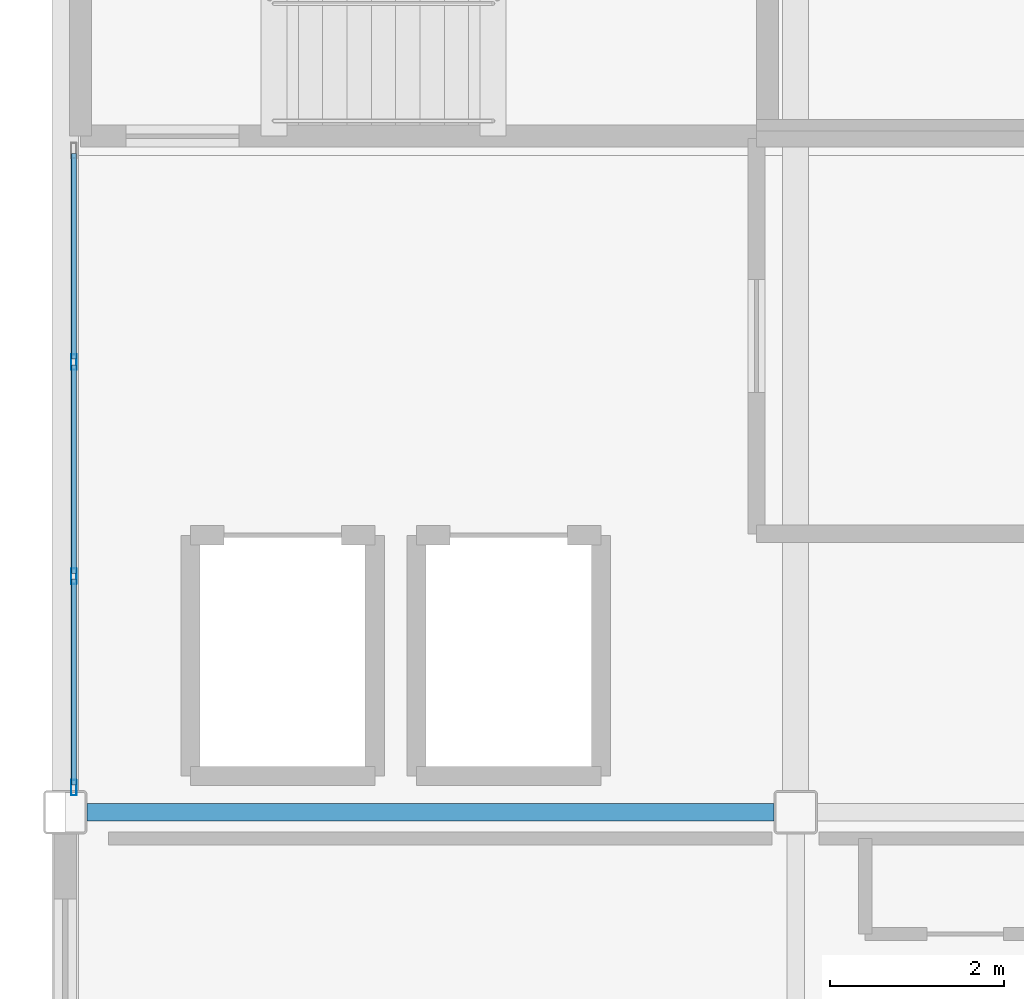
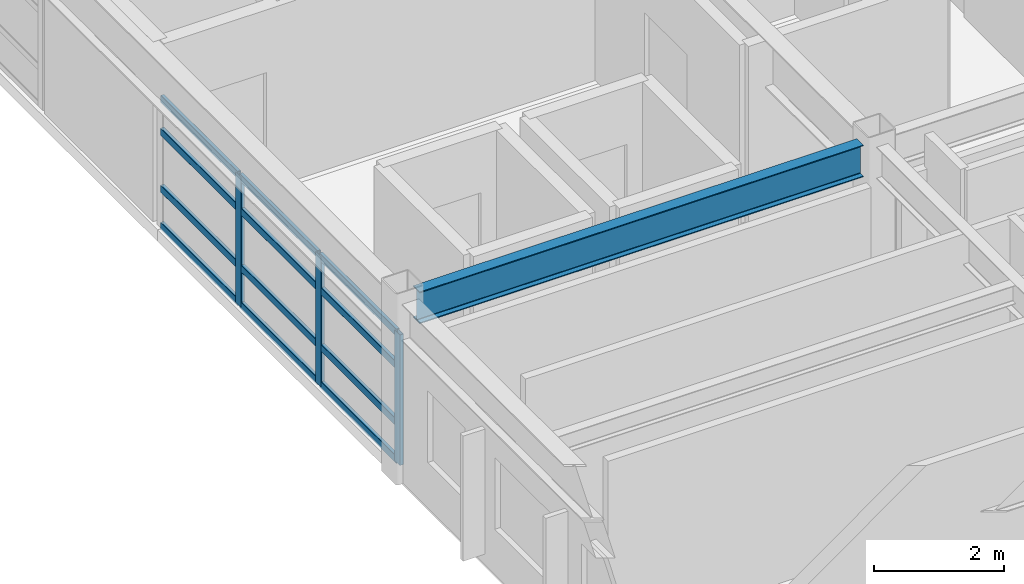
# One storey, part 10 of 35: 15 members, 1 beam, 1 element without a shape of its own.
"""IFC4 building model written with IfcOpenShell, lengths in metres."""

from ifc_helpers import new_model, si_unit, direction, frame, origin, origin_2d, place, context, subcontext, project, spatial, hollow_rectangle, i_section, extrude, material, layer, layer_set, material_profile, profile_set, type_object, element, aggregate, save


model = new_model("IFC4")

# Units and contexts
model_context = context("Model", 3, precision=1e-05, world=origin(), true_north=direction((0.0, 1.0)))
body_context = subcontext(model_context, "Body", "Model", "MODEL_VIEW")
ifc_project = project(units=[si_unit("LENGTHUNIT", "METRE"), si_unit("AREAUNIT", "SQUARE_METRE"), si_unit("VOLUMEUNIT", "CUBIC_METRE"), si_unit("PLANEANGLEUNIT", "RADIAN"), si_unit("MASSUNIT", "GRAM", prefix="KILO")], contexts=[model_context])

# Site, building, storey
site_placement = place(None, origin())
site = spatial("IfcSite", under=ifc_project, at=site_placement, CompositionType="ELEMENT")
building_placement = place(site_placement, origin())
building = spatial("IfcBuilding", under=site, at=building_placement, Name="Kazehara Bluff Congress Hotel", CompositionType="ELEMENT")
storey_placement = place(building_placement, frame((0.0, 0.0, 35.39990234375)))
storey = spatial("IfcBuildingStorey", under=building, at=storey_placement, Name="L08", CompositionType="ELEMENT", Elevation=35.39990234375)

# Curtain wall, members
ifc_material_1 = material(Name="Anodised aluminium", Category="aluminium")
ifc_layer = layer(ifc_material_1, 0.159912109375)
ifc_layer_set = layer_set([ifc_layer], Name="Anodised aluminium")
curtain_wall_type = type_object("IfcCurtainWallType", Name="TP-CW-190", PredefinedType="NOTDEFINED", material=ifc_layer_set)
curtain_wall_placement = place(storey_placement, origin())
curtain_wall = element("IfcCurtainWall", 1, at=curtain_wall_placement, inside=storey, type_object=curtain_wall_type, Name="L08 curtain wall CW-190 CW-ENC-V5-L08-14380-4484", PredefinedType="NOTDEFINED")
ifc_material_2 = material(Name="Anodised aluminium", Category="aluminium")
ifc_material_profile_1 = material_profile(ifc_material_2, hollow_rectangle(XDim=0.06494140625, YDim=0.179931640625, WallThickness=0.00390625, InnerFilletRadius=0.00390625, OuterFilletRadius=0.008056640625, at=origin_2d()))
ifc_profile_set_1 = profile_set([ifc_material_profile_1], Name="Anodised aluminium")
member_type_1 = type_object("IfcMemberType", Name="TP-CWM-02", PredefinedType="MULLION", material=ifc_profile_set_1)
member_1_placement = place(storey_placement, frame((143.800048828125, 41.1826171875, 0.0), z_axis=(0.0, 0.0, 1.0), x_axis=(-1.0, 0.0, 0.0)))
member_1 = element("IfcMember", 2, at=member_1_placement, type_object=member_type_1, Name="CW-190 mullion 1", PredefinedType="MULLION", context=body_context, shape_type="SweptSolid", body=[
    extrude(hollow_rectangle(XDim=0.06494140625, YDim=0.179931640625, WallThickness=0.00390625, InnerFilletRadius=0.00390625, OuterFilletRadius=0.008056640625, at=origin_2d()), origin(), (0.0, 0.0, 1.0), 2.455078125),
])
member_2_placement = place(storey_placement, frame((143.800048828125, 43.61328125, 0.0), z_axis=(0.0, 0.0, 1.0), x_axis=(-1.0, 0.0, 0.0)))
member_2 = element("IfcMember", 3, at=member_2_placement, type_object=member_type_1, Name="CW-190 mullion 2", PredefinedType="MULLION", context=body_context, shape_type="SweptSolid", body=[
    extrude(hollow_rectangle(XDim=0.06494140625, YDim=0.179931640625, WallThickness=0.00390625, InnerFilletRadius=0.00390625, OuterFilletRadius=0.008056640625, at=origin_2d()), origin(), (0.0, 0.0, 1.0), 2.455078125),
])
member_3_placement = place(storey_placement, frame((143.800048828125, 46.07666015625, 0.0), z_axis=(0.0, 0.0, 1.0), x_axis=(-1.0, 0.0, 0.0)))
member_3 = element("IfcMember", 4, at=member_3_placement, type_object=member_type_1, Name="CW-190 mullion 3", PredefinedType="MULLION", context=body_context, shape_type="SweptSolid", body=[
    extrude(hollow_rectangle(XDim=0.06494140625, YDim=0.179931640625, WallThickness=0.00390625, InnerFilletRadius=0.00390625, OuterFilletRadius=0.008056640625, at=origin_2d()), origin(), (0.0, 0.0, 1.0), 2.455078125),
])
ifc_material_3 = material(Name="Anodised aluminium", Category="aluminium")
ifc_material_profile_2 = material_profile(ifc_material_3, hollow_rectangle(XDim=0.06494140625, YDim=0.139892578125, WallThickness=0.00390625, InnerFilletRadius=0.00390625, OuterFilletRadius=0.008056640625, at=origin_2d()))
ifc_profile_set_2 = profile_set([ifc_material_profile_2], Name="Anodised aluminium")
member_type_2 = type_object("IfcMemberType", Name="TP-CWT-02", PredefinedType="USERDEFINED", material=ifc_profile_set_2)
member_4_placement = place(storey_placement, frame((143.800048828125, 41.215087890625, 0.03271484375), z_axis=(0.0, 1.0, 0.0), x_axis=(-1.0, 0.0, 0.0)))
member_4 = element("IfcMember", 5, at=member_4_placement, type_object=member_type_2, Name="CW-190 transom 1.1", ObjectType="TRANSOM", PredefinedType="USERDEFINED", context=body_context, shape_type="SweptSolid", body=[
    extrude(hollow_rectangle(XDim=0.06494140625, YDim=0.139892578125, WallThickness=0.00390625, InnerFilletRadius=0.00390625, OuterFilletRadius=0.008056640625, at=origin_2d()), origin(), (0.0, 0.0, 1.0), 2.36572265625),
])
member_5_placement = place(storey_placement, frame((143.800048828125, 41.215087890625, 0.735107421875), z_axis=(0.0, 1.0, 0.0), x_axis=(-1.0, 0.0, 0.0)))
member_5 = element("IfcMember", 6, at=member_5_placement, type_object=member_type_2, Name="CW-190 transom 1.2", ObjectType="TRANSOM", PredefinedType="USERDEFINED", context=body_context, shape_type="SweptSolid", body=[
    extrude(hollow_rectangle(XDim=0.06494140625, YDim=0.139892578125, WallThickness=0.00390625, InnerFilletRadius=0.00390625, OuterFilletRadius=0.008056640625, at=origin_2d()), origin(), (0.0, 0.0, 1.0), 2.36572265625),
])
member_6_placement = place(storey_placement, frame((143.800048828125, 41.215087890625, 1.80517578125), z_axis=(0.0, 1.0, 0.0), x_axis=(-1.0, 0.0, 0.0)))
member_6 = element("IfcMember", 7, at=member_6_placement, type_object=member_type_2, Name="CW-190 transom 1.3", ObjectType="TRANSOM", PredefinedType="USERDEFINED", context=body_context, shape_type="SweptSolid", body=[
    extrude(hollow_rectangle(XDim=0.06494140625, YDim=0.139892578125, WallThickness=0.00390625, InnerFilletRadius=0.00390625, OuterFilletRadius=0.008056640625, at=origin_2d()), origin(), (0.0, 0.0, 1.0), 2.36572265625),
])
member_7_placement = place(storey_placement, frame((143.800048828125, 41.215087890625, 2.422607421875), z_axis=(0.0, 1.0, 0.0), x_axis=(-1.0, 0.0, 0.0)))
member_7 = element("IfcMember", 8, at=member_7_placement, type_object=member_type_2, Name="CW-190 transom 1.4", ObjectType="TRANSOM", PredefinedType="USERDEFINED", context=body_context, shape_type="SweptSolid", body=[
    extrude(hollow_rectangle(XDim=0.06494140625, YDim=0.139892578125, WallThickness=0.00390625, InnerFilletRadius=0.00390625, OuterFilletRadius=0.008056640625, at=origin_2d()), origin(), (0.0, 0.0, 1.0), 2.36572265625),
])
member_8_placement = place(storey_placement, frame((143.800048828125, 43.645751953125, 0.03271484375), z_axis=(0.0, 1.0, 0.0), x_axis=(-1.0, 0.0, 0.0)))
member_8 = element("IfcMember", 9, at=member_8_placement, type_object=member_type_2, Name="CW-190 transom 2.1", ObjectType="TRANSOM", PredefinedType="USERDEFINED", context=body_context, shape_type="SweptSolid", body=[
    extrude(hollow_rectangle(XDim=0.06494140625, YDim=0.139892578125, WallThickness=0.00390625, InnerFilletRadius=0.00390625, OuterFilletRadius=0.008056640625, at=origin_2d()), origin(), (0.0, 0.0, 1.0), 2.3984375),
])
member_9_placement = place(storey_placement, frame((143.800048828125, 43.645751953125, 0.735107421875), z_axis=(0.0, 1.0, 0.0), x_axis=(-1.0, 0.0, 0.0)))
member_9 = element("IfcMember", 10, at=member_9_placement, type_object=member_type_2, Name="CW-190 transom 2.2", ObjectType="TRANSOM", PredefinedType="USERDEFINED", context=body_context, shape_type="SweptSolid", body=[
    extrude(hollow_rectangle(XDim=0.06494140625, YDim=0.139892578125, WallThickness=0.00390625, InnerFilletRadius=0.00390625, OuterFilletRadius=0.008056640625, at=origin_2d()), origin(), (0.0, 0.0, 1.0), 2.3984375),
])
member_10_placement = place(storey_placement, frame((143.800048828125, 43.645751953125, 1.80517578125), z_axis=(0.0, 1.0, 0.0), x_axis=(-1.0, 0.0, 0.0)))
member_10 = element("IfcMember", 11, at=member_10_placement, type_object=member_type_2, Name="CW-190 transom 2.3", ObjectType="TRANSOM", PredefinedType="USERDEFINED", context=body_context, shape_type="SweptSolid", body=[
    extrude(hollow_rectangle(XDim=0.06494140625, YDim=0.139892578125, WallThickness=0.00390625, InnerFilletRadius=0.00390625, OuterFilletRadius=0.008056640625, at=origin_2d()), origin(), (0.0, 0.0, 1.0), 2.3984375),
])
member_11_placement = place(storey_placement, frame((143.800048828125, 43.645751953125, 2.422607421875), z_axis=(0.0, 1.0, 0.0), x_axis=(-1.0, 0.0, 0.0)))
member_11 = element("IfcMember", 12, at=member_11_placement, type_object=member_type_2, Name="CW-190 transom 2.4", ObjectType="TRANSOM", PredefinedType="USERDEFINED", context=body_context, shape_type="SweptSolid", body=[
    extrude(hollow_rectangle(XDim=0.06494140625, YDim=0.139892578125, WallThickness=0.00390625, InnerFilletRadius=0.00390625, OuterFilletRadius=0.008056640625, at=origin_2d()), origin(), (0.0, 0.0, 1.0), 2.3984375),
])
member_12_placement = place(storey_placement, frame((143.800048828125, 46.109130859375, 0.03271484375), z_axis=(0.0, 1.0, 0.0), x_axis=(-1.0, 0.0, 0.0)))
member_12 = element("IfcMember", 13, at=member_12_placement, type_object=member_type_2, Name="CW-190 transom 3.1", ObjectType="TRANSOM", PredefinedType="USERDEFINED", context=body_context, shape_type="SweptSolid", body=[
    extrude(hollow_rectangle(XDim=0.06494140625, YDim=0.139892578125, WallThickness=0.00390625, InnerFilletRadius=0.00390625, OuterFilletRadius=0.008056640625, at=origin_2d()), origin(), (0.0, 0.0, 1.0), 2.365966796875),
])
member_13_placement = place(storey_placement, frame((143.800048828125, 46.109130859375, 0.735107421875), z_axis=(0.0, 1.0, 0.0), x_axis=(-1.0, 0.0, 0.0)))
member_13 = element("IfcMember", 14, at=member_13_placement, type_object=member_type_2, Name="CW-190 transom 3.2", ObjectType="TRANSOM", PredefinedType="USERDEFINED", context=body_context, shape_type="SweptSolid", body=[
    extrude(hollow_rectangle(XDim=0.06494140625, YDim=0.139892578125, WallThickness=0.00390625, InnerFilletRadius=0.00390625, OuterFilletRadius=0.008056640625, at=origin_2d()), origin(), (0.0, 0.0, 1.0), 2.365966796875),
])
member_14_placement = place(storey_placement, frame((143.800048828125, 46.109130859375, 1.80517578125), z_axis=(0.0, 1.0, 0.0), x_axis=(-1.0, 0.0, 0.0)))
member_14 = element("IfcMember", 15, at=member_14_placement, type_object=member_type_2, Name="CW-190 transom 3.3", ObjectType="TRANSOM", PredefinedType="USERDEFINED", context=body_context, shape_type="SweptSolid", body=[
    extrude(hollow_rectangle(XDim=0.06494140625, YDim=0.139892578125, WallThickness=0.00390625, InnerFilletRadius=0.00390625, OuterFilletRadius=0.008056640625, at=origin_2d()), origin(), (0.0, 0.0, 1.0), 2.365966796875),
])
member_15_placement = place(storey_placement, frame((143.800048828125, 46.109130859375, 2.422607421875), z_axis=(0.0, 1.0, 0.0), x_axis=(-1.0, 0.0, 0.0)))
member_15 = element("IfcMember", 16, at=member_15_placement, type_object=member_type_2, Name="CW-190 transom 3.4", ObjectType="TRANSOM", PredefinedType="USERDEFINED", context=body_context, shape_type="SweptSolid", body=[
    extrude(hollow_rectangle(XDim=0.06494140625, YDim=0.139892578125, WallThickness=0.00390625, InnerFilletRadius=0.00390625, OuterFilletRadius=0.008056640625, at=origin_2d()), origin(), (0.0, 0.0, 1.0), 2.365966796875),
])
aggregate(curtain_wall, [member_1, member_2, member_3, member_4, member_5, member_6, member_7, member_8, member_9, member_10, member_11, member_12, member_13, member_14, member_15])

# Beam
ifc_material_4 = material(Name="Steel SN490B", Category="steel")
ifc_material_profile_3 = material_profile(ifc_material_4, i_section(OverallWidth=0.199951171875, OverallDepth=0.60009765625, WebThickness=0.010986328125, FlangeThickness=0.01708984375, FilletRadius=0.012939453125, at=origin_2d()))
ifc_profile_set_3 = profile_set([ifc_material_profile_3], Name="Steel SN490B")
beam_type = type_object("IfcBeamType", Name="TP-G-02", PredefinedType="BEAM", material=ifc_profile_set_3)
beam_placement = place(storey_placement, frame((143.949951171875, 40.89990234375, 3.080078125), z_axis=(1.0, 0.0, 0.0), x_axis=(0.0, 1.0, 0.0)))
element("IfcBeam", 17, at=beam_placement, inside=storey, type_object=beam_type, Name="L08 girder G-02 48", PredefinedType="BEAM", context=body_context, shape_type="SweptSolid", body=[
    extrude(i_section(OverallWidth=0.199951171875, OverallDepth=0.60009765625, WebThickness=0.010986328125, FlangeThickness=0.01708984375, FilletRadius=0.012939453125, at=origin_2d()), origin(), (0.0, 0.0, 1.0), 7.900146484375),
])

save(model, "model.ifc")
